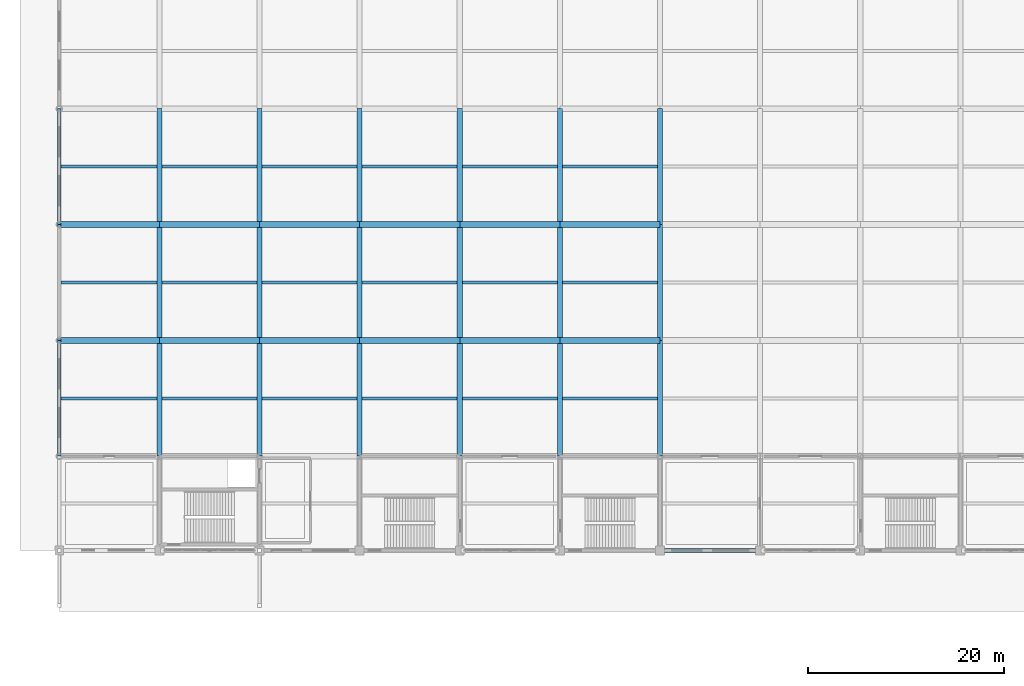
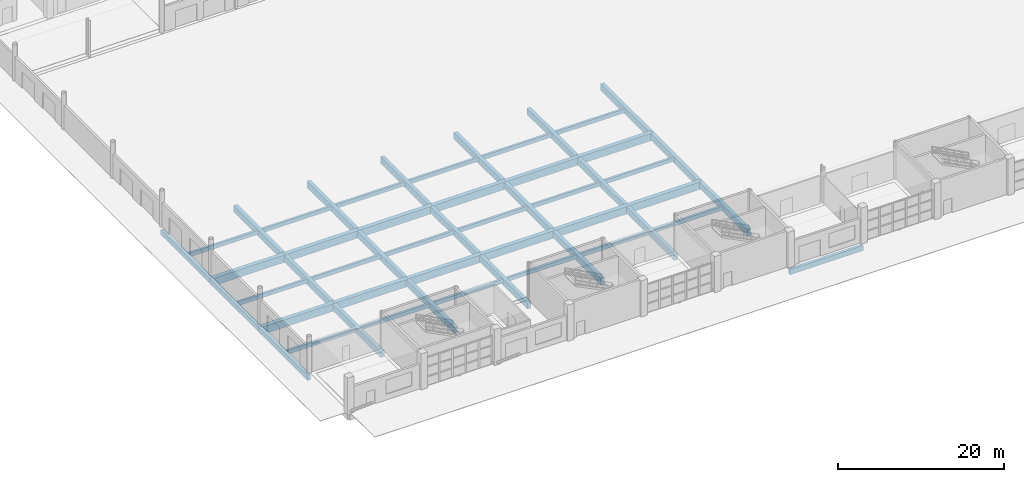
# One storey, part 29 of 124: 52 beams.
"""IFC4 building model written with IfcOpenShell, lengths in metres."""

from ifc_helpers import new_model, si_unit, direction, frame, origin, origin_2d, place, context, subcontext, project, spatial, rectangle, extrude, material, material_profile, profile_set, type_object, element, save


model = new_model("IFC4")

# Units and contexts
model_context = context("Model", 3, precision=1e-05, world=origin(), true_north=direction((0.0, 1.0)))
body_context = subcontext(model_context, "Body", "Model", "MODEL_VIEW")
ifc_project = project(units=[si_unit("LENGTHUNIT", "METRE"), si_unit("AREAUNIT", "SQUARE_METRE"), si_unit("VOLUMEUNIT", "CUBIC_METRE"), si_unit("PLANEANGLEUNIT", "RADIAN"), si_unit("MASSUNIT", "GRAM", prefix="KILO")], contexts=[model_context])

# Site, building, storey
site_placement = place(None, origin())
site = spatial("IfcSite", under=ifc_project, at=site_placement, CompositionType="ELEMENT")
building_placement = place(site_placement, origin())
building = spatial("IfcBuilding", under=site, at=building_placement, Name="Brelvane Convention Centre", CompositionType="ELEMENT")
storey_placement = place(building_placement, origin())
storey = spatial("IfcBuildingStorey", under=building, at=storey_placement, Name="L00", CompositionType="ELEMENT", Elevation=0.0)

# Beams
ifc_material_1 = material(Name="Concrete M50", Category="concrete")
ifc_material_profile_1 = material_profile(ifc_material_1, rectangle(XDim=0.60009765625, YDim=1.10009765625, at=origin_2d()), Name="RC 600x1100")
ifc_profile_set_1 = profile_set([ifc_material_profile_1], Name="Concrete M50")
beam_type_1 = type_object("IfcBeamType", Name="RC Beam B-RC2 (RC 600x1100)", PredefinedType="BEAM", material=ifc_profile_set_1)
for number, where, z_axis, x_axis, name in (
    (1, (0.0, 40.60009765625, -0.945068359375), (1.0, 0.0, 0.0), (0.0, 1.0, 0.0), "L00 Beam 1-2/E"),
    (2, (0.0, 52.39990234375, -0.945068359375), (1.0, 0.0, 0.0), (0.0, 1.0, 0.0), "L00 Beam 1-2/F"),
    (3, (10.199951171875, 40.60009765625, -0.945068359375), (1.0, 0.0, 0.0), (0.0, 1.0, 0.0), "L00 Beam 2-3/E"),
    (4, (10.199951171875, 52.39990234375, -0.945068359375), (1.0, 0.0, 0.0), (0.0, 1.0, 0.0), "L00 Beam 2-3/F"),
):
    element("IfcBeam", number, at=place(storey_placement, frame(where, z_axis=z_axis, x_axis=x_axis)), inside=storey, type_object=beam_type_1, Name=name, PredefinedType="BEAM", context=body_context, shape_type="SweptSolid", body=[
        extrude(rectangle(XDim=0.60009765625, YDim=1.10009765625, at=origin_2d()), origin(), (0.0, 0.0, 1.0), 10.199951171875),
    ])
for number, where, z_axis, x_axis, name in (
    (5, (20.39990234375, 40.60009765625, -0.945068359375), (1.0, 0.0, 0.0), (0.0, 1.0, 0.0), "L00 Beam 3-4/E"),
    (6, (20.39990234375, 52.39990234375, -0.945068359375), (1.0, 0.0, 0.0), (0.0, 1.0, 0.0), "L00 Beam 3-4/F"),
):
    element("IfcBeam", number, at=place(storey_placement, frame(where, z_axis=z_axis, x_axis=x_axis)), inside=storey, type_object=beam_type_1, Name=name, PredefinedType="BEAM", context=body_context, shape_type="SweptSolid", body=[
        extrude(rectangle(XDim=0.60009765625, YDim=1.10009765625, at=origin_2d()), origin(), (0.0, 0.0, 1.0), 10.2001953125),
    ])
for number, where, z_axis, x_axis, name in (
    (7, (30.60009765625, 40.60009765625, -0.945068359375), (1.0, 0.0, 0.0), (0.0, 1.0, 0.0), "L00 Beam 4-5/E"),
    (8, (30.60009765625, 52.39990234375, -0.945068359375), (1.0, 0.0, 0.0), (0.0, 1.0, 0.0), "L00 Beam 4-5/F"),
    (9, (40.800048828125, 40.60009765625, -0.945068359375), (1.0, 0.0, 0.0), (0.0, 1.0, 0.0), "L00 Beam 5-6/E"),
    (10, (40.800048828125, 52.39990234375, -0.945068359375), (1.0, 0.0, 0.0), (0.0, 1.0, 0.0), "L00 Beam 5-6/F"),
    (11, (51.0, 40.60009765625, -0.9150390625), (1.0, 0.0, 0.0), (0.0, 1.0, 0.0), "L00 Beam 6-7/E"),
    (12, (51.0, 52.39990234375, -0.9150390625), (1.0, 0.0, 0.0), (0.0, 1.0, 0.0), "L00 Beam 6-7/F"),
):
    element("IfcBeam", number, at=place(storey_placement, frame(where, z_axis=z_axis, x_axis=x_axis)), inside=storey, type_object=beam_type_1, Name=name, PredefinedType="BEAM", context=body_context, shape_type="SweptSolid", body=[
        extrude(rectangle(XDim=0.60009765625, YDim=1.10009765625, at=origin_2d()), origin(), (0.0, 0.0, 1.0), 10.199951171875),
    ])
ifc_material_2 = material(Name="Concrete M50", Category="concrete")
ifc_material_profile_2 = material_profile(ifc_material_2, rectangle(XDim=0.52001953125, YDim=0.949951171875, at=origin_2d()), Name="RC 520x950")
ifc_profile_set_2 = profile_set([ifc_material_profile_2], Name="Concrete M50")
beam_type_2 = type_object("IfcBeamType", Name="RC Beam B-RC9 (RC 520x950)", PredefinedType="BEAM", material=ifc_profile_set_2)
beam_1_placement = place(storey_placement, frame((10.199951171875, 28.800048828125, -0.8701171875), z_axis=(0.0, 1.0, 0.0), x_axis=(-1.0, 0.0, 0.0)))
element("IfcBeam", 13, at=beam_1_placement, inside=storey, type_object=beam_type_2, Name="L00 Girder 2/D-E", PredefinedType="BEAM", context=body_context, shape_type="SweptSolid", body=[
    extrude(rectangle(XDim=0.52001953125, YDim=0.949951171875, at=origin_2d()), origin(), (0.0, 0.0, 1.0), 11.800048828125),
])
beam_2_placement = place(storey_placement, frame((10.199951171875, 40.60009765625, -0.8701171875), z_axis=(0.0, 1.0, 0.0), x_axis=(-1.0, 0.0, 0.0)))
element("IfcBeam", 14, at=beam_2_placement, inside=storey, type_object=beam_type_2, Name="L00 Girder 2/E-F", PredefinedType="BEAM", context=body_context, shape_type="SweptSolid", body=[
    extrude(rectangle(XDim=0.52001953125, YDim=0.949951171875, at=origin_2d()), origin(), (0.0, 0.0, 1.0), 11.7998046875),
])
for number, where, z_axis, x_axis, name in (
    (15, (10.199951171875, 52.39990234375, -0.8701171875), (0.0, 1.0, 0.0), (-1.0, 0.0, 0.0), "L00 Girder 2/F-G"),
    (16, (20.39990234375, 28.800048828125, -0.8701171875), (0.0, 1.0, 0.0), (-1.0, 0.0, 0.0), "L00 Girder 3/D-E"),
):
    element("IfcBeam", number, at=place(storey_placement, frame(where, z_axis=z_axis, x_axis=x_axis)), inside=storey, type_object=beam_type_2, Name=name, PredefinedType="BEAM", context=body_context, shape_type="SweptSolid", body=[
        extrude(rectangle(XDim=0.52001953125, YDim=0.949951171875, at=origin_2d()), origin(), (0.0, 0.0, 1.0), 11.800048828125),
    ])
beam_3_placement = place(storey_placement, frame((20.39990234375, 40.60009765625, -0.8701171875), z_axis=(0.0, 1.0, 0.0), x_axis=(-1.0, 0.0, 0.0)))
element("IfcBeam", 17, at=beam_3_placement, inside=storey, type_object=beam_type_2, Name="L00 Girder 3/E-F", PredefinedType="BEAM", context=body_context, shape_type="SweptSolid", body=[
    extrude(rectangle(XDim=0.52001953125, YDim=0.949951171875, at=origin_2d()), origin(), (0.0, 0.0, 1.0), 11.7998046875),
])
for number, where, z_axis, x_axis, name in (
    (18, (20.39990234375, 52.39990234375, -0.8701171875), (0.0, 1.0, 0.0), (-1.0, 0.0, 0.0), "L00 Girder 3/F-G"),
    (19, (30.60009765625, 28.800048828125, -0.8701171875), (0.0, 1.0, 0.0), (-1.0, 0.0, 0.0), "L00 Girder 4/D-E"),
):
    element("IfcBeam", number, at=place(storey_placement, frame(where, z_axis=z_axis, x_axis=x_axis)), inside=storey, type_object=beam_type_2, Name=name, PredefinedType="BEAM", context=body_context, shape_type="SweptSolid", body=[
        extrude(rectangle(XDim=0.52001953125, YDim=0.949951171875, at=origin_2d()), origin(), (0.0, 0.0, 1.0), 11.800048828125),
    ])
beam_4_placement = place(storey_placement, frame((30.60009765625, 40.60009765625, -0.8701171875), z_axis=(0.0, 1.0, 0.0), x_axis=(-1.0, 0.0, 0.0)))
element("IfcBeam", 20, at=beam_4_placement, inside=storey, type_object=beam_type_2, Name="L00 Girder 4/E-F", PredefinedType="BEAM", context=body_context, shape_type="SweptSolid", body=[
    extrude(rectangle(XDim=0.52001953125, YDim=0.949951171875, at=origin_2d()), origin(), (0.0, 0.0, 1.0), 11.7998046875),
])
for number, where, z_axis, x_axis, name in (
    (21, (30.60009765625, 52.39990234375, -0.8701171875), (0.0, 1.0, 0.0), (-1.0, 0.0, 0.0), "L00 Girder 4/F-G"),
    (22, (40.800048828125, 28.800048828125, -0.8701171875), (0.0, 1.0, 0.0), (-1.0, 0.0, 0.0), "L00 Girder 5/D-E"),
):
    element("IfcBeam", number, at=place(storey_placement, frame(where, z_axis=z_axis, x_axis=x_axis)), inside=storey, type_object=beam_type_2, Name=name, PredefinedType="BEAM", context=body_context, shape_type="SweptSolid", body=[
        extrude(rectangle(XDim=0.52001953125, YDim=0.949951171875, at=origin_2d()), origin(), (0.0, 0.0, 1.0), 11.800048828125),
    ])
beam_5_placement = place(storey_placement, frame((40.800048828125, 40.60009765625, -0.8701171875), z_axis=(0.0, 1.0, 0.0), x_axis=(-1.0, 0.0, 0.0)))
element("IfcBeam", 23, at=beam_5_placement, inside=storey, type_object=beam_type_2, Name="L00 Girder 5/E-F", PredefinedType="BEAM", context=body_context, shape_type="SweptSolid", body=[
    extrude(rectangle(XDim=0.52001953125, YDim=0.949951171875, at=origin_2d()), origin(), (0.0, 0.0, 1.0), 11.7998046875),
])
for number, where, z_axis, x_axis, name in (
    (24, (40.800048828125, 52.39990234375, -0.8701171875), (0.0, 1.0, 0.0), (-1.0, 0.0, 0.0), "L00 Girder 5/F-G"),
    (25, (51.0, 28.800048828125, -0.8701171875), (0.0, 1.0, 0.0), (-1.0, 0.0, 0.0), "L00 Girder 6/D-E"),
):
    element("IfcBeam", number, at=place(storey_placement, frame(where, z_axis=z_axis, x_axis=x_axis)), inside=storey, type_object=beam_type_2, Name=name, PredefinedType="BEAM", context=body_context, shape_type="SweptSolid", body=[
        extrude(rectangle(XDim=0.52001953125, YDim=0.949951171875, at=origin_2d()), origin(), (0.0, 0.0, 1.0), 11.800048828125),
    ])
beam_6_placement = place(storey_placement, frame((51.0, 40.60009765625, -0.8701171875), z_axis=(0.0, 1.0, 0.0), x_axis=(-1.0, 0.0, 0.0)))
element("IfcBeam", 26, at=beam_6_placement, inside=storey, type_object=beam_type_2, Name="L00 Girder 6/E-F", PredefinedType="BEAM", context=body_context, shape_type="SweptSolid", body=[
    extrude(rectangle(XDim=0.52001953125, YDim=0.949951171875, at=origin_2d()), origin(), (0.0, 0.0, 1.0), 11.7998046875),
])
for number, where, z_axis, x_axis, name in (
    (27, (51.0, 52.39990234375, -0.8701171875), (0.0, 1.0, 0.0), (-1.0, 0.0, 0.0), "L00 Girder 6/F-G"),
    (28, (61.199951171875, 28.800048828125, -0.840087890625), (0.0, 1.0, 0.0), (-1.0, 0.0, 0.0), "L00 Girder 7/D-E"),
):
    element("IfcBeam", number, at=place(storey_placement, frame(where, z_axis=z_axis, x_axis=x_axis)), inside=storey, type_object=beam_type_2, Name=name, PredefinedType="BEAM", context=body_context, shape_type="SweptSolid", body=[
        extrude(rectangle(XDim=0.52001953125, YDim=0.949951171875, at=origin_2d()), origin(), (0.0, 0.0, 1.0), 11.800048828125),
    ])
beam_7_placement = place(storey_placement, frame((61.199951171875, 40.60009765625, -0.840087890625), z_axis=(0.0, 1.0, 0.0), x_axis=(-1.0, 0.0, 0.0)))
element("IfcBeam", 29, at=beam_7_placement, inside=storey, type_object=beam_type_2, Name="L00 Girder 7/E-F", PredefinedType="BEAM", context=body_context, shape_type="SweptSolid", body=[
    extrude(rectangle(XDim=0.52001953125, YDim=0.949951171875, at=origin_2d()), origin(), (0.0, 0.0, 1.0), 11.7998046875),
])
beam_8_placement = place(storey_placement, frame((61.199951171875, 52.39990234375, -0.840087890625), z_axis=(0.0, 1.0, 0.0), x_axis=(-1.0, 0.0, 0.0)))
element("IfcBeam", 30, at=beam_8_placement, inside=storey, type_object=beam_type_2, Name="L00 Girder 7/F-G", PredefinedType="BEAM", context=body_context, shape_type="SweptSolid", body=[
    extrude(rectangle(XDim=0.52001953125, YDim=0.949951171875, at=origin_2d()), origin(), (0.0, 0.0, 1.0), 11.800048828125),
])
ifc_material_3 = material(Name="Concrete M40", Category="concrete")
ifc_material_profile_3 = material_profile(ifc_material_3, rectangle(XDim=0.320068359375, YDim=0.580078125, at=origin_2d()), Name="RC 320x580")
ifc_profile_set_3 = profile_set([ifc_material_profile_3], Name="Concrete M40")
beam_type_3 = type_object("IfcBeamType", Name="RC Joist J-RC3 (RC 320x580)", PredefinedType="JOIST", material=ifc_profile_set_3)
for number, where, z_axis, x_axis, name in (
    (31, (0.199951171875, 34.699951171875, -0.68505859375), (1.0, 0.0, 0.0), (0.0, 1.0, 0.0), "L00 Secondary Joist 1-2/DE"),
    (32, (0.199951171875, 46.5, -0.68505859375), (1.0, 0.0, 0.0), (0.0, 1.0, 0.0), "L00 Secondary Joist 1-2/EF"),
    (33, (0.199951171875, 58.300048828125, -0.68505859375), (1.0, 0.0, 0.0), (0.0, 1.0, 0.0), "L00 Secondary Joist 1-2/FG"),
):
    element("IfcBeam", number, at=place(storey_placement, frame(where, z_axis=z_axis, x_axis=x_axis)), inside=storey, type_object=beam_type_3, Name=name, PredefinedType="JOIST", context=body_context, shape_type="SweptSolid", body=[
        extrude(rectangle(XDim=0.320068359375, YDim=0.580078125, at=origin_2d()), origin(), (0.0, 0.0, 1.0), 9.739990234375),
    ])
for number, where, z_axis, x_axis, name in (
    (34, (10.4599609375, 34.699951171875, -0.68505859375), (1.0, 0.0, 0.0), (0.0, 1.0, 0.0), "L00 Secondary Joist 2-3/DE"),
    (35, (10.4599609375, 46.5, -0.68505859375), (1.0, 0.0, 0.0), (0.0, 1.0, 0.0), "L00 Secondary Joist 2-3/EF"),
    (36, (10.4599609375, 58.300048828125, -0.68505859375), (1.0, 0.0, 0.0), (0.0, 1.0, 0.0), "L00 Secondary Joist 2-3/FG"),
):
    element("IfcBeam", number, at=place(storey_placement, frame(where, z_axis=z_axis, x_axis=x_axis)), inside=storey, type_object=beam_type_3, Name=name, PredefinedType="JOIST", context=body_context, shape_type="SweptSolid", body=[
        extrude(rectangle(XDim=0.320068359375, YDim=0.580078125, at=origin_2d()), origin(), (0.0, 0.0, 1.0), 9.679931640625),
    ])
for number, where, z_axis, x_axis, name in (
    (37, (20.659912109375, 34.699951171875, -0.68505859375), (1.0, 0.0, 0.0), (0.0, 1.0, 0.0), "L00 Secondary Joist 3-4/DE"),
    (38, (20.659912109375, 46.5, -0.68505859375), (1.0, 0.0, 0.0), (0.0, 1.0, 0.0), "L00 Secondary Joist 3-4/EF"),
    (39, (20.659912109375, 58.300048828125, -0.68505859375), (1.0, 0.0, 0.0), (0.0, 1.0, 0.0), "L00 Secondary Joist 3-4/FG"),
):
    element("IfcBeam", number, at=place(storey_placement, frame(where, z_axis=z_axis, x_axis=x_axis)), inside=storey, type_object=beam_type_3, Name=name, PredefinedType="JOIST", context=body_context, shape_type="SweptSolid", body=[
        extrude(rectangle(XDim=0.320068359375, YDim=0.580078125, at=origin_2d()), origin(), (0.0, 0.0, 1.0), 9.68017578125),
    ])
for number, where, z_axis, x_axis, name in (
    (40, (30.860107421875, 34.699951171875, -0.68505859375), (1.0, 0.0, 0.0), (0.0, 1.0, 0.0), "L00 Secondary Joist 4-5/DE"),
    (41, (30.860107421875, 46.5, -0.68505859375), (1.0, 0.0, 0.0), (0.0, 1.0, 0.0), "L00 Secondary Joist 4-5/EF"),
    (42, (30.860107421875, 58.300048828125, -0.68505859375), (1.0, 0.0, 0.0), (0.0, 1.0, 0.0), "L00 Secondary Joist 4-5/FG"),
    (43, (41.06005859375, 34.699951171875, -0.68505859375), (1.0, 0.0, 0.0), (0.0, 1.0, 0.0), "L00 Secondary Joist 5-6/DE"),
    (44, (41.06005859375, 46.5, -0.68505859375), (1.0, 0.0, 0.0), (0.0, 1.0, 0.0), "L00 Secondary Joist 5-6/EF"),
    (45, (41.06005859375, 58.300048828125, -0.68505859375), (1.0, 0.0, 0.0), (0.0, 1.0, 0.0), "L00 Secondary Joist 5-6/FG"),
    (46, (51.260009765625, 34.699951171875, -0.655029296875), (1.0, 0.0, 0.0), (0.0, 1.0, 0.0), "L00 Secondary Joist 6-7/DE"),
    (47, (51.260009765625, 46.5, -0.655029296875), (1.0, 0.0, 0.0), (0.0, 1.0, 0.0), "L00 Secondary Joist 6-7/EF"),
    (48, (51.260009765625, 58.300048828125, -0.655029296875), (1.0, 0.0, 0.0), (0.0, 1.0, 0.0), "L00 Secondary Joist 6-7/FG"),
):
    element("IfcBeam", number, at=place(storey_placement, frame(where, z_axis=z_axis, x_axis=x_axis)), inside=storey, type_object=beam_type_3, Name=name, PredefinedType="JOIST", context=body_context, shape_type="SweptSolid", body=[
        extrude(rectangle(XDim=0.320068359375, YDim=0.580078125, at=origin_2d()), origin(), (0.0, 0.0, 1.0), 9.679931640625),
    ])
ifc_material_4 = material(Name="Concrete M40", Category="concrete")
ifc_material_profile_4 = material_profile(ifc_material_4, rectangle(XDim=0.39990234375, YDim=0.75, at=origin_2d()), Name="RC 400x750")
ifc_profile_set_4 = profile_set([ifc_material_profile_4], Name="Concrete M40")
beam_type_4 = type_object("IfcBeamType", Name="RC Spandrel SP-RC1 (RC 400x750)", PredefinedType="SPANDREL", material=ifc_profile_set_4)
beam_9_placement = place(storey_placement, frame((61.199951171875, 19.199951171875, -0.77490234375), z_axis=(1.0, 0.0, 0.0), x_axis=(0.0, 1.0, 0.0)))
element("IfcBeam", 49, at=beam_9_placement, inside=storey, type_object=beam_type_4, Name="L00 Beam 7-8/C", PredefinedType="SPANDREL", context=body_context, shape_type="SweptSolid", body=[
    extrude(rectangle(XDim=0.39990234375, YDim=0.75, at=origin_2d()), origin(), (0.0, 0.0, 1.0), 10.199951171875),
])
beam_10_placement = place(storey_placement, frame((0.0, 28.800048828125, -0.77001953125), z_axis=(0.0, 1.0, 0.0), x_axis=(-1.0, 0.0, 0.0)))
element("IfcBeam", 50, at=beam_10_placement, inside=storey, type_object=beam_type_4, Name="L00 Girder 1/D-E", PredefinedType="SPANDREL", context=body_context, shape_type="SweptSolid", body=[
    extrude(rectangle(XDim=0.39990234375, YDim=0.75, at=origin_2d()), origin(), (0.0, 0.0, 1.0), 11.800048828125),
])
beam_11_placement = place(storey_placement, frame((0.0, 40.60009765625, -0.77001953125), z_axis=(0.0, 1.0, 0.0), x_axis=(-1.0, 0.0, 0.0)))
element("IfcBeam", 51, at=beam_11_placement, inside=storey, type_object=beam_type_4, Name="L00 Girder 1/E-F", PredefinedType="SPANDREL", context=body_context, shape_type="SweptSolid", body=[
    extrude(rectangle(XDim=0.39990234375, YDim=0.75, at=origin_2d()), origin(), (0.0, 0.0, 1.0), 11.7998046875),
])
beam_12_placement = place(storey_placement, frame((0.0, 52.39990234375, -0.77001953125), z_axis=(0.0, 1.0, 0.0), x_axis=(-1.0, 0.0, 0.0)))
element("IfcBeam", 52, at=beam_12_placement, inside=storey, type_object=beam_type_4, Name="L00 Girder 1/F-G", PredefinedType="SPANDREL", context=body_context, shape_type="SweptSolid", body=[
    extrude(rectangle(XDim=0.39990234375, YDim=0.75, at=origin_2d()), origin(), (0.0, 0.0, 1.0), 11.800048828125),
])

save(model, "model.ifc")
